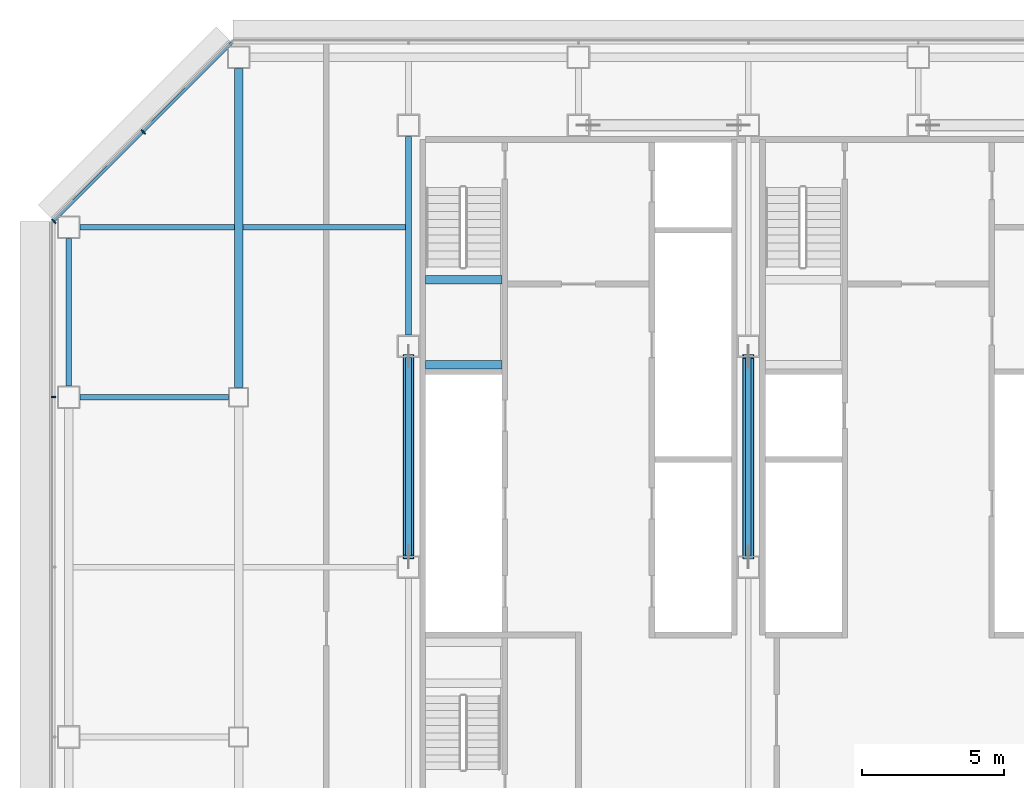
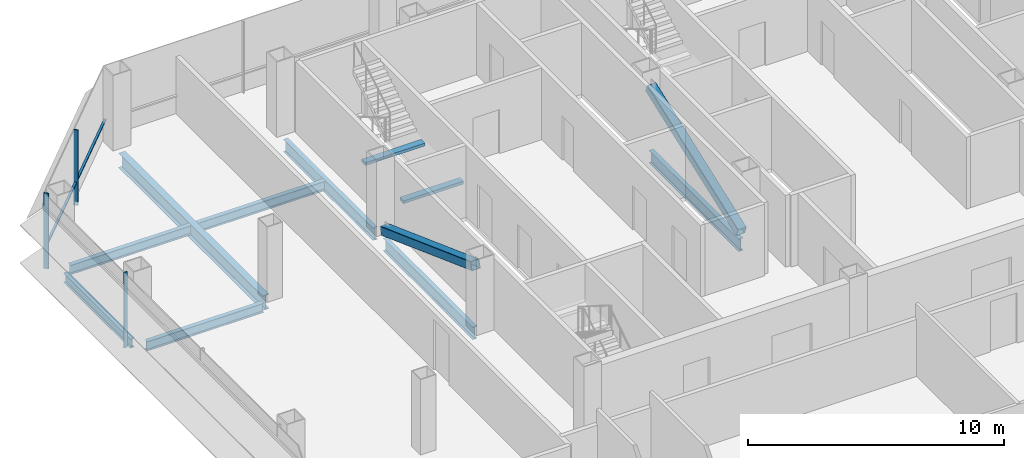
# One storey, part 11 of 25: 10 beams, 6 members, 2 elements without a shape of their own.
"""IFC4 building model written with IfcOpenShell, lengths in metres."""

from ifc_helpers import new_model, si_unit, direction, frame, origin, origin_2d, place, context, subcontext, project, spatial, rectangle, hollow_rectangle, i_section, extrude, material, material_profile, profile_set, type_object, element, aggregate, save


model = new_model("IFC4")

# Units and contexts
model_context = context("Model", 3, precision=1e-05, world=origin(), true_north=direction((0.0, 1.0)))
body_context = subcontext(model_context, "Body", "Model", "MODEL_VIEW")
ifc_project = project(units=[si_unit("LENGTHUNIT", "METRE"), si_unit("AREAUNIT", "SQUARE_METRE"), si_unit("VOLUMEUNIT", "CUBIC_METRE"), si_unit("PLANEANGLEUNIT", "RADIAN"), si_unit("MASSUNIT", "GRAM", prefix="KILO")], contexts=[model_context])

# Site, building, storey
site_placement = place(None, origin())
site = spatial("IfcSite", under=ifc_project, at=site_placement, CompositionType="ELEMENT")
building_placement = place(site_placement, origin())
building = spatial("IfcBuilding", under=site, at=building_placement, Name="Sorahane Residences", CompositionType="ELEMENT")
storey_placement = place(building_placement, frame((0.0, 0.0, 130.39990234375)))
storey = spatial("IfcBuildingStorey", under=building, at=storey_placement, Name="L29", CompositionType="ELEMENT", Elevation=130.39990234375)

# Members
ifc_material_1 = material(Name="Steel Q355B", Category="steel")
ifc_material_profile_1 = material_profile(ifc_material_1, hollow_rectangle(XDim=0.39990234375, YDim=0.39990234375, WallThickness=0.02001953125, InnerFilletRadius=0.010009765625, OuterFilletRadius=0.030029296875, at=origin_2d()), Name="RHS 400x400x20")
ifc_profile_set_1 = profile_set([ifc_material_profile_1], Name="Steel Q355B")
member_type_1 = type_object("IfcMemberType", Name="Core brace RHS 400x400x20 Q355B", PredefinedType="BRACE", material=ifc_profile_set_1)
for number, where, z_axis, x_axis, name in (
    (1, (6.0, 37.44140625, 0.184814453125), (0.0, -0.938723182636, 0.344671998257), (1.0, 0.0, 0.0), "Core brace L29 x6-2"),
    (2, (18.0, 30.358642578125, 0.184814453125), (0.0, 0.938723182636, 0.344671998257), (-1.0, 0.0, 0.0), "Core brace L29 x18-1"),
):
    element("IfcMember", number, at=place(storey_placement, frame(where, z_axis=z_axis, x_axis=x_axis)), inside=storey, type_object=member_type_1, Name=name, PredefinedType="BRACE", context=body_context, shape_type="SweptSolid", body=[
        extrude(hollow_rectangle(XDim=0.39990234375, YDim=0.39990234375, WallThickness=0.02001953125, InnerFilletRadius=0.010009765625, OuterFilletRadius=0.030029296875, at=origin_2d()), origin(), (0.0, 0.0, 1.0), 7.545166015625),
    ])

# Curtain wall, member
ifc_material_2 = material(Name="Dark low-e glass and black anodised aluminium", Category="aluminium")
curtain_wall_type_1 = type_object("IfcCurtainWallType", Name="Curtain wall CW-1 Typical unitised wall", PredefinedType="NOTDEFINED", material=ifc_material_2)
curtain_wall_1_placement = place(storey_placement, origin())
curtain_wall_1 = element("IfcCurtainWall", 3, at=curtain_wall_1_placement, inside=storey, type_object=curtain_wall_type_1, Name="CW-1 curtain wall L29 W1", PredefinedType="NOTDEFINED")
ifc_material_3 = material(Name="Black anodised aluminium", Category="aluminium")
ifc_material_profile_2 = material_profile(ifc_material_3, rectangle(XDim=0.159912109375, YDim=0.050048828125, at=origin_2d()), Name="Curtain wall mullion CW-1 black anodised aluminium 50x160")
ifc_profile_set_2 = profile_set([ifc_material_profile_2], Name="Black anodised aluminium")
member_type_2 = type_object("IfcMemberType", Name="Curtain wall mullion CW-1 black anodised aluminium 50x160", PredefinedType="MULLION", material=ifc_profile_set_2)
member_1_placement = place(storey_placement, frame((-6.5400390625, 36.0, -0.179931640625), z_axis=(0.0, 0.0, 1.0), x_axis=(-1.0, 0.0, 0.0)))
member_1 = element("IfcMember", 4, at=member_1_placement, type_object=member_type_2, Name="CW-1 mullion L29 W1.2", PredefinedType="MULLION", context=body_context, shape_type="SweptSolid", body=[
    extrude(rectangle(XDim=0.159912109375, YDim=0.050048828125, at=origin_2d()), origin(), (0.0, 0.0, 1.0), 3.60009765625),
])
aggregate(curtain_wall_1, [member_1])

# Curtain wall, members
ifc_material_4 = material(Name="Dark low-e glass and black anodised aluminium", Category="aluminium")
curtain_wall_type_2 = type_object("IfcCurtainWallType", Name="Curtain wall CW-2 Chamfer unitised wall", PredefinedType="NOTDEFINED", material=ifc_material_4)
curtain_wall_2_placement = place(storey_placement, origin())
curtain_wall_2 = element("IfcCurtainWall", 5, at=curtain_wall_2_placement, inside=storey, type_object=curtain_wall_type_2, Name="CW-2 curtain wall L29 NW1", PredefinedType="NOTDEFINED")
ifc_material_5 = material(Name="Black anodised aluminium", Category="aluminium")
ifc_material_profile_3 = material_profile(ifc_material_5, rectangle(XDim=0.199951171875, YDim=0.050048828125, at=origin_2d()), Name="Curtain wall mullion CW-2 black anodised aluminium 50x200")
ifc_profile_set_3 = profile_set([ifc_material_profile_3], Name="Black anodised aluminium")
member_type_3 = type_object("IfcMemberType", Name="Curtain wall mullion CW-2 black anodised aluminium 50x200", PredefinedType="MULLION", material=ifc_profile_set_3)
member_2_placement = place(storey_placement, frame((-3.36767578125, 45.36767578125, -0.179931640625), z_axis=(0.0, 0.0, 1.0), x_axis=(-0.707106781187, 0.707106781187, 0.0)))
member_2 = element("IfcMember", 6, at=member_2_placement, type_object=member_type_3, Name="CW-2 mullion L29 NW1.2", PredefinedType="MULLION", context=body_context, shape_type="SweptSolid", body=[
    extrude(rectangle(XDim=0.199951171875, YDim=0.050048828125, at=origin_2d()), origin(), (0.0, 0.0, 1.0), 3.60009765625),
])
member_3_placement = place(storey_placement, frame((-6.525634765625, 42.209716796875, -0.179931640625), z_axis=(0.0, 0.0, 1.0), x_axis=(-0.707106781187, 0.707106781187, 0.0)))
member_3 = element("IfcMember", 7, at=member_3_placement, type_object=member_type_3, Name="CW-2 mullion L29 NW1.3", PredefinedType="MULLION", context=body_context, shape_type="SweptSolid", body=[
    extrude(rectangle(XDim=0.199951171875, YDim=0.050048828125, at=origin_2d()), origin(), (0.0, 0.0, 1.0), 3.60009765625),
])
ifc_material_6 = material(Name="Black anodised aluminium", Category="aluminium")
ifc_material_profile_4 = material_profile(ifc_material_6, rectangle(XDim=0.10009765625, YDim=0.06005859375, at=origin_2d()), Name="Curtain wall transom CW-2 black anodised aluminium 60x100")
ifc_profile_set_4 = profile_set([ifc_material_profile_4], Name="Black anodised aluminium")
member_type_4 = type_object("IfcMemberType", Name="Curtain wall transom CW-2 black anodised aluminium 60x100", PredefinedType="USERDEFINED", material=ifc_profile_set_4)
member_4_placement = place(storey_placement, frame((-0.234375, 48.51513671875, 0.900146484375), z_axis=(-0.707106781187, -0.707106781187, 0.0), x_axis=(0.707106781187, -0.707106781187, 0.0)))
member_4 = element("IfcMember", 8, at=member_4_placement, type_object=member_type_4, Name="CW-2 transom L29 NW1", ObjectType="TRANSOM", PredefinedType="USERDEFINED", context=body_context, shape_type="SweptSolid", body=[
    extrude(rectangle(XDim=0.10009765625, YDim=0.06005859375, at=origin_2d()), origin(), (0.0, 0.0, 1.0), 8.88232421875),
])
aggregate(curtain_wall_2, [member_2, member_3, member_4])

# Beams
ifc_material_7 = material(Name="Concrete C40", Category="concrete")
ifc_material_profile_5 = material_profile(ifc_material_7, rectangle(XDim=0.300048828125, YDim=0.139892578125, at=origin_2d()), Name="300x140")
ifc_profile_set_5 = profile_set([ifc_material_profile_5], Name="Concrete C40")
beam_type_1 = type_object("IfcBeamType", Name="RC landing beam 300 x 140 Concrete C40", PredefinedType="BEAM", material=ifc_profile_set_5)
for number, where, z_axis, x_axis, name in (
    (9, (6.60009765625, 37.14990234375, 1.530029296875), (1.0, 0.0, 0.0), (0.0, 1.0, 0.0), "Landing beam"),
    (10, (6.60009765625, 40.14990234375, 1.530029296875), (1.0, 0.0, 0.0), (0.0, 1.0, 0.0), "Landing beam"),
):
    element("IfcBeam", number, at=place(storey_placement, frame(where, z_axis=z_axis, x_axis=x_axis)), inside=storey, type_object=beam_type_1, Name=name, PredefinedType="BEAM", context=body_context, shape_type="SweptSolid", body=[
        extrude(rectangle(XDim=0.300048828125, YDim=0.139892578125, at=origin_2d()), origin(), (0.0, 0.0, 1.0), 2.699951171875),
    ])
ifc_material_8 = material(Name="Steel Q355B", Category="steel")
ifc_material_profile_6 = material_profile(ifc_material_8, i_section(OverallWidth=0.199951171875, OverallDepth=0.449951171875, WebThickness=0.009033203125, FlangeThickness=0.013916015625, FilletRadius=0.02001953125, at=origin_2d()), Name="HN 450x200x9x14")
ifc_profile_set_6 = profile_set([ifc_material_profile_6], Name="Steel Q355B")
beam_type_2 = type_object("IfcBeamType", Name="Steel floor beam HN 450x200x9x14 Q355B", PredefinedType="BEAM", material=ifc_profile_set_6)
beam_1_placement = place(storey_placement, frame((-5.60009765625, 36.0, -0.40478515625), z_axis=(1.0, 0.0, 0.0), x_axis=(0.0, 1.0, 0.0)))
element("IfcBeam", 11, at=beam_1_placement, inside=storey, type_object=beam_type_2, Name="Beam L29 013", PredefinedType="BEAM", context=body_context, shape_type="SweptSolid", body=[
    extrude(i_section(OverallWidth=0.199951171875, OverallDepth=0.449951171875, WebThickness=0.009033203125, FlangeThickness=0.013916015625, FilletRadius=0.02001953125, at=origin_2d()), origin(), (0.0, 0.0, 1.0), 5.25),
])
beam_2_placement = place(storey_placement, frame((-6.0, 36.39990234375, -0.40478515625), z_axis=(0.0, 1.0, 0.0), x_axis=(-1.0, 0.0, 0.0)))
element("IfcBeam", 12, at=beam_2_placement, inside=storey, type_object=beam_type_2, Name="Beam L29 023", PredefinedType="BEAM", context=body_context, shape_type="SweptSolid", body=[
    extrude(i_section(OverallWidth=0.199951171875, OverallDepth=0.449951171875, WebThickness=0.009033203125, FlangeThickness=0.013916015625, FilletRadius=0.02001953125, at=origin_2d()), origin(), (0.0, 0.0, 1.0), 5.2001953125),
])
beam_3_placement = place(storey_placement, frame((-5.60009765625, 42.0, -0.40478515625), z_axis=(1.0, 0.0, 0.0), x_axis=(0.0, 1.0, 0.0)))
element("IfcBeam", 13, at=beam_3_placement, inside=storey, type_object=beam_type_2, Name="Beam L29 089", PredefinedType="BEAM", context=body_context, shape_type="SweptSolid", body=[
    extrude(i_section(OverallWidth=0.199951171875, OverallDepth=0.449951171875, WebThickness=0.009033203125, FlangeThickness=0.013916015625, FilletRadius=0.02001953125, at=origin_2d()), origin(), (0.0, 0.0, 1.0), 5.4501953125),
])
beam_4_placement = place(storey_placement, frame((0.14990234375, 42.0, -0.40478515625), z_axis=(1.0, 0.0, 0.0), x_axis=(0.0, 1.0, 0.0)))
element("IfcBeam", 14, at=beam_4_placement, inside=storey, type_object=beam_type_2, Name="Beam L29 090", PredefinedType="BEAM", context=body_context, shape_type="SweptSolid", body=[
    extrude(i_section(OverallWidth=0.199951171875, OverallDepth=0.449951171875, WebThickness=0.009033203125, FlangeThickness=0.013916015625, FilletRadius=0.02001953125, at=origin_2d()), origin(), (0.0, 0.0, 1.0), 5.75),
])
ifc_material_9 = material(Name="Steel Q355B", Category="steel")
ifc_material_profile_7 = material_profile(ifc_material_9, i_section(OverallWidth=0.199951171875, OverallDepth=0.60009765625, WebThickness=0.010986328125, FlangeThickness=0.01708984375, FilletRadius=0.02392578125, at=origin_2d()), Name="HN 600x200x11x17")
ifc_profile_set_7 = profile_set([ifc_material_profile_7], Name="Steel Q355B")
beam_type_3 = type_object("IfcBeamType", Name="Steel floor beam HN 600x200x11x17 Q355B", PredefinedType="BEAM", material=ifc_profile_set_7)
for number, where, z_axis, x_axis, name in (
    (15, (6.0, 30.39990234375, -0.47998046875), (0.0, 1.0, 0.0), (-1.0, 0.0, 0.0), "Beam L29 031"),
    (16, (6.0, 38.199951171875, -0.47998046875), (0.0, 1.0, 0.0), (-1.0, 0.0, 0.0), "Beam L29 032"),
    (17, (18.0, 30.39990234375, -0.47998046875), (0.0, 1.0, 0.0), (-1.0, 0.0, 0.0), "Beam L29 039"),
):
    element("IfcBeam", number, at=place(storey_placement, frame(where, z_axis=z_axis, x_axis=x_axis)), inside=storey, type_object=beam_type_3, Name=name, PredefinedType="BEAM", context=body_context, shape_type="SweptSolid", body=[
        extrude(i_section(OverallWidth=0.199951171875, OverallDepth=0.60009765625, WebThickness=0.010986328125, FlangeThickness=0.01708984375, FilletRadius=0.02392578125, at=origin_2d()), origin(), (0.0, 0.0, 1.0), 7.0),
    ])
ifc_material_10 = material(Name="Steel Q355B", Category="steel")
ifc_material_profile_8 = material_profile(ifc_material_10, i_section(OverallWidth=0.300048828125, OverallDepth=0.699951171875, WebThickness=0.012939453125, FlangeThickness=0.02392578125, FilletRadius=0.028076171875, at=origin_2d()), Name="HN 700x300x13x24")
ifc_profile_set_8 = profile_set([ifc_material_profile_8], Name="Steel Q355B")
beam_type_4 = type_object("IfcBeamType", Name="Steel floor beam HN 700x300x13x24 Q355B", PredefinedType="BEAM", material=ifc_profile_set_8)
beam_5_placement = place(storey_placement, frame((0.0, 36.35009765625, -0.52978515625), z_axis=(0.0, 1.0, 0.0), x_axis=(-1.0, 0.0, 0.0)))
element("IfcBeam", 18, at=beam_5_placement, inside=storey, type_object=beam_type_4, Name="Beam L29 027", PredefinedType="BEAM", context=body_context, shape_type="SweptSolid", body=[
    extrude(i_section(OverallWidth=0.300048828125, OverallDepth=0.699951171875, WebThickness=0.012939453125, FlangeThickness=0.02392578125, FilletRadius=0.028076171875, at=origin_2d()), origin(), (0.0, 0.0, 1.0), 11.25),
])

save(model, "model.ifc")
